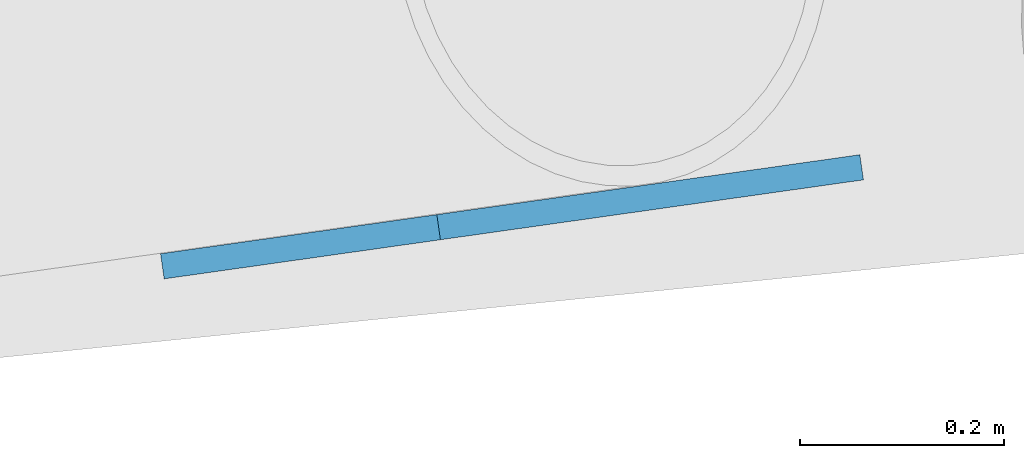
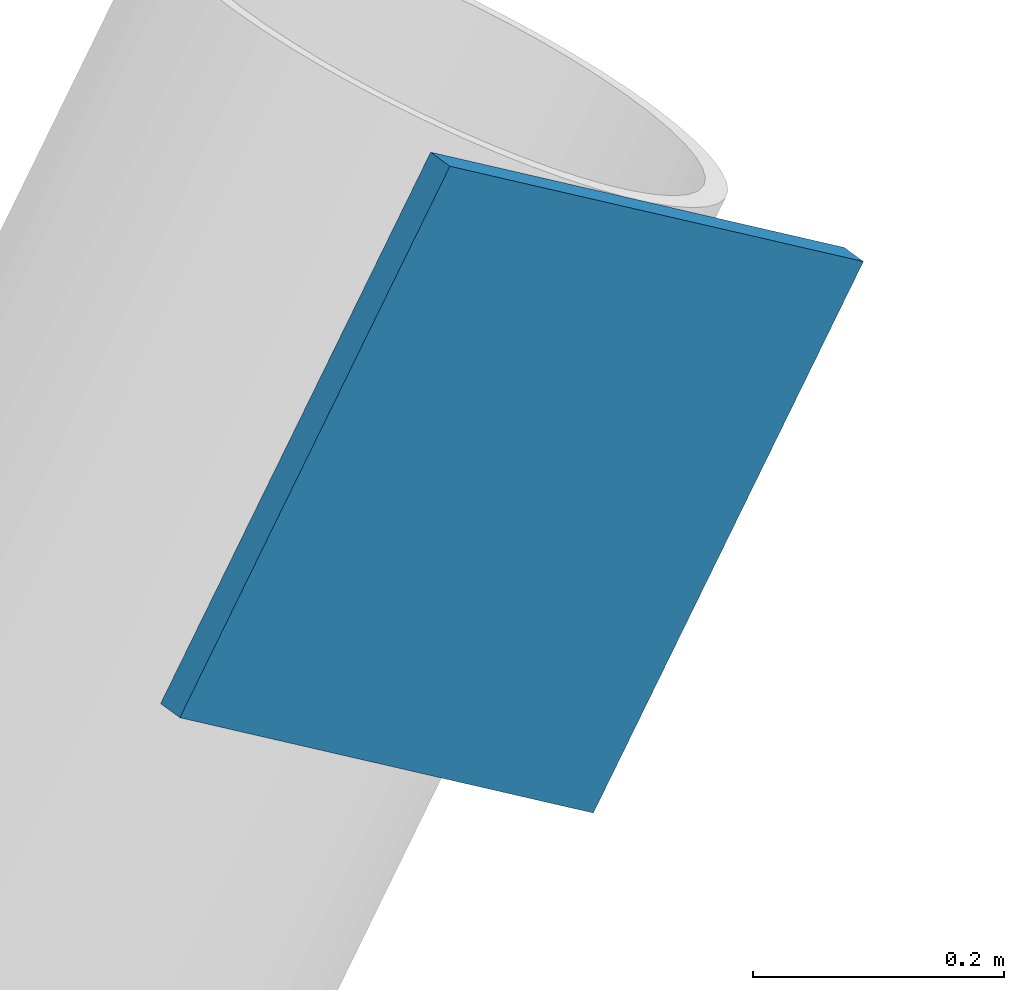
# One storey, part 12 of 20: 1 discrete accessory.
"""IFC4 building model written with IfcOpenShell, lengths in metres."""

import ifcopenshell
import ifcopenshell.guid

model = None  # the IFC model being written
_history = None  # IfcOwnerHistory: only IFC2X3 demands one
_inside = {}  # id of a spatial element -> (the spatial element, [elements in it])
_under = {}  # id of a project, library or spatial element -> (it, [spatial elements below it])
_declared = {}  # id of a project -> (the project, [libraries it declares])
_typed = {}  # id of a type object -> (the type object, [elements of that type])
_made_of = {}  # id of a material, layer set ... -> (it, [elements and type objects made of it])


def new_model(schema):
    """Start an empty IFC model of exactly this schema.

    Asked for "IFC4X3", IfcOpenShell would pick the latest addendum, in which some entities
    have other attributes; the version numbers below select the first issue.
    IFC2X3 requires an IfcOwnerHistory on every rooted entity: one is made here for all.
    """
    global model, _history
    if schema == "IFC4X3":
        model = ifcopenshell.file(schema_version=(4, 3, 0, 0))
    else:
        model = ifcopenshell.file(schema=schema)
    _inside.clear()
    _under.clear()
    _declared.clear()
    _typed.clear()
    _made_of.clear()
    _history = None
    if model.schema == "IFC2X3":
        org = make("IfcOrganization", Name="unknown")
        user = make(
            "IfcPersonAndOrganization",
            ThePerson=make("IfcPerson", FamilyName="unknown"),
            TheOrganization=org,
        )
        app = make(
            "IfcApplication",
            ApplicationDeveloper=org,
            Version="unknown",
            ApplicationFullName="unknown",
            ApplicationIdentifier="unknown",
        )
        _history = make(
            "IfcOwnerHistory",
            OwningUser=user,
            OwningApplication=app,
            ChangeAction="ADDED",
            CreationDate=0,
        )
    return model


def make(cls, **values):
    """One entity of the class cls with the attributes given. An attribute that is None is left unset."""
    return model.create_entity(
        cls, **{name: value for name, value in values.items() if value is not None}
    )


def rooted(cls, **values):
    """An entity with a GlobalId (a new one), such as an element, a storey or a relation."""
    return make(cls, GlobalId=ifcopenshell.guid.new(), OwnerHistory=_history, **values)


def si_unit(unit_type, name, prefix=None):
    """IfcSIUnit, for example si_unit("LENGTHUNIT", "METRE", prefix="MILLI")."""
    return make("IfcSIUnit", UnitType=unit_type, Prefix=prefix, Name=name)


def assignment(units):
    """IfcUnitAssignment: the units of a project."""
    return None if units is None else make("IfcUnitAssignment", Units=units)


def point(xyz):
    """IfcCartesianPoint."""
    return None if xyz is None else make("IfcCartesianPoint", Coordinates=xyz)


def direction(xyz):
    """IfcDirection."""
    return None if xyz is None else make("IfcDirection", DirectionRatios=xyz)


def frame(location, z_axis=None, x_axis=None):
    """IfcAxis2Placement3D, a coordinate frame: its origin and axes. An axis left out is left unset."""
    return make(
        "IfcAxis2Placement3D",
        Location=point(location),
        Axis=direction(z_axis),
        RefDirection=direction(x_axis),
    )


def frame_2d(location, x_axis=None):
    """IfcAxis2Placement2D, a coordinate frame in the plane: its origin and x axis."""
    return make(
        "IfcAxis2Placement2D", Location=point(location), RefDirection=direction(x_axis)
    )


def origin():
    """The frame at (0, 0, 0) with its axes left unset."""
    return frame((0.0, 0.0, 0.0))


def origin_2d():
    """The frame at (0, 0) in the plane with its x axis left unset."""
    return frame_2d((0.0, 0.0))


def place(relative_to, where):
    """IfcLocalPlacement: puts the frame where relative to a parent placement (None: the world)."""
    return make(
        "IfcLocalPlacement", PlacementRelTo=relative_to, RelativePlacement=where
    )


def context(
    kind, dimensions, precision=None, world=None, true_north=None, identifier=None
):
    """IfcGeometricRepresentationContext, for example the 3D "Model" context."""
    return make(
        "IfcGeometricRepresentationContext",
        ContextIdentifier=identifier,
        ContextType=kind,
        CoordinateSpaceDimension=dimensions,
        Precision=precision,
        WorldCoordinateSystem=world,
        TrueNorth=true_north,
    )


def subcontext(parent, identifier, kind, view, scale=None):
    """IfcGeometricRepresentationSubContext, for example "Body" below "Model"."""
    return make(
        "IfcGeometricRepresentationSubContext",
        ContextIdentifier=identifier,
        ContextType=kind,
        ParentContext=parent,
        TargetScale=scale,
        TargetView=view,
    )


def project(units=None, contexts=None):
    """IfcProject with its units and contexts."""
    return rooted(
        "IfcProject",
        Name="project",
        RepresentationContexts=contexts,
        UnitsInContext=assignment(units),
    )


def spatial(cls, under=None, at=None, **own):
    """A site, building, storey or space (cls), placed at a placement, below another one or the project."""
    s = rooted(cls, ObjectPlacement=at, **own)
    if under is not None:
        _under.setdefault(under.id(), (under, []))[1].append(s)
    return s


def profile(cls, at=None, kind="AREA", **sizes):
    """A parametric profile (cls). Its sizes go by their IFC names, for example OverallWidth=200.0."""
    return make(cls, ProfileType=kind, Position=at, **sizes)


def rectangle(**sizes):
    """IfcRectangleProfileDef."""
    return profile("IfcRectangleProfileDef", **sizes)


def extrude(swept, where, along, depth):
    """IfcExtrudedAreaSolid: the profile swept, set in the frame where, extruded along a direction by depth."""
    return make(
        "IfcExtrudedAreaSolid",
        SweptArea=swept,
        Position=where,
        ExtrudedDirection=direction(along),
        Depth=depth,
    )


def shape(context_of_items, identifier, shape_type, items):
    """IfcShapeRepresentation: the items that make up one representation, for example the "Body"."""
    return make(
        "IfcShapeRepresentation",
        ContextOfItems=context_of_items,
        RepresentationIdentifier=identifier,
        RepresentationType=shape_type,
        Items=items,
    )


def material(Name=None, Category=None):
    """IfcMaterial."""
    return make("IfcMaterial", Name=Name, Category=Category)


def material_profile(
    of_material, cross_section, Name=None, Category=None, Priority=None
):
    """IfcMaterialProfile: a cross section and its material."""
    return make(
        "IfcMaterialProfile",
        Name=Name,
        Material=of_material,
        Profile=cross_section,
        Priority=Priority,
        Category=Category,
    )


def profile_set(profiles, Name=None, composite=None):
    """IfcMaterialProfileSet."""
    return make(
        "IfcMaterialProfileSet",
        Name=Name,
        MaterialProfiles=profiles,
        CompositeProfile=composite,
    )


def made_of(thing, what):
    """Note that an element or type object is made of a material, layer set ...; save() writes the relation."""
    if what is not None:
        _made_of.setdefault(what.id(), (what, []))[1].append(thing)
    return thing


def type_object(cls, material=None, **own):
    """A type object (cls), such as IfcWallType, which elements share."""
    return made_of(rooted(cls, **own), material)


def element(
    cls,
    number,
    at=None,
    inside=None,
    cuts=None,
    type_object=None,
    material=None,
    context=None,
    identifier="Body",
    shape_type=None,
    held_by="IfcProductDefinitionShape",
    body=None,
    shapes=None,
    **own,
):
    """One element of the class cls, such as IfcWall. Its Tag is "e" and its number.

    at: its placement. inside: the storey or other place that contains it. cuts: it is an
    opening in that element (IfcRelVoidsElement). A single representation is given by context,
    identifier, shape_type and body (its items); several are given by shapes. held_by: the class
    of the entity that holds the representations. save() writes the other relations.
    """
    e = rooted(cls, Tag="e%d" % number, ObjectPlacement=at, **own)
    if body is not None:
        shapes = [shape(context, identifier, shape_type, body)]
    if shapes is not None:
        e.Representation = make(held_by, Representations=shapes)
    if inside is not None:
        _inside.setdefault(inside.id(), (inside, []))[1].append(e)
    if cuts is not None:
        rooted(
            "IfcRelVoidsElement", RelatingBuildingElement=cuts, RelatedOpeningElement=e
        )
    if type_object is not None:
        _typed.setdefault(type_object.id(), (type_object, []))[1].append(e)
    return made_of(e, material)


def aggregate(whole, parts):
    """IfcRelAggregates: a whole, such as a stair, and the parts it consists of."""
    return rooted("IfcRelAggregates", RelatingObject=whole, RelatedObjects=parts)


def save(model, path):
    """Write the relations noted so far, then the file.

    IfcRelAggregates (storeys below a building ...), IfcRelContainedInSpatialStructure (elements
    in a storey), IfcRelDefinesByType, IfcRelAssociatesMaterial and IfcRelDeclares: one each for
    every whole, place, type object, material and project.
    """
    for whole, parts in _under.values():
        aggregate(whole, parts)
    for where, things in _inside.values():
        rooted(
            "IfcRelContainedInSpatialStructure",
            RelatedElements=things,
            RelatingStructure=where,
        )
    for kind, things in _typed.values():
        rooted("IfcRelDefinesByType", RelatedObjects=things, RelatingType=kind)
    for what, things in _made_of.values():
        rooted("IfcRelAssociatesMaterial", RelatedObjects=things, RelatingMaterial=what)
    for by, libraries in _declared.values():
        rooted("IfcRelDeclares", RelatingContext=by, RelatedDefinitions=libraries)
    model.write(path)


model = new_model("IFC4")

# Units and contexts
model_context = context("Model", 3, precision=1e-05, world=origin(), true_north=direction((0.0, 1.0)))
body_context = subcontext(model_context, "Body", "Model", "MODEL_VIEW")
ifc_project = project(units=[si_unit("LENGTHUNIT", "METRE"), si_unit("AREAUNIT", "SQUARE_METRE"), si_unit("VOLUMEUNIT", "CUBIC_METRE"), si_unit("PLANEANGLEUNIT", "RADIAN"), si_unit("MASSUNIT", "GRAM", prefix="KILO")], contexts=[model_context])

# Site, building, storey
site_placement = place(None, origin())
site = spatial("IfcSite", under=ifc_project, at=site_placement, CompositionType="ELEMENT")
building_placement = place(site_placement, origin())
building = spatial("IfcBuilding", under=site, at=building_placement, Name="Tarsis Ring Headquarters", CompositionType="ELEMENT")
storey_placement = place(building_placement, frame((0.0, 0.0, 315.800048828125)))
storey = spatial("IfcBuildingStorey", under=building, at=storey_placement, Name="L74", CompositionType="ELEMENT", Elevation=315.800048828125)

# Discrete accessory
ifc_material = material(Name="Structural steel S355", Category="steel")
ifc_material_profile = material_profile(ifc_material, rectangle(XDim=0.02490234375, YDim=0.5, at=origin_2d()), Name="PL 25x500")
ifc_profile_set = profile_set([ifc_material_profile], Name="Structural steel S355")
discrete_accessory_type = type_object("IfcDiscreteAccessoryType", Name="Gusset plate Exo brace 25", PredefinedType="BRACKET", material=ifc_profile_set)
discrete_accessory_placement = place(storey_placement, frame((2.21435546875, 28.702880859375, 7.800048828125), z_axis=(-0.541410265164, -0.076646899577, -0.837257533594), x_axis=(0.140171308276, -0.990127266737, 0.0)))
element("IfcDiscreteAccessory", 1, at=discrete_accessory_placement, inside=storey, type_object=discrete_accessory_type, Name="Gusset plate GP5", PredefinedType="BRACKET", context=body_context, shape_type="SweptSolid", body=[
    extrude(rectangle(XDim=0.02490234375, YDim=0.5, at=origin_2d()), origin(), (0.0, 0.0, 1.0), 0.5),
])

save(model, "model.ifc")
